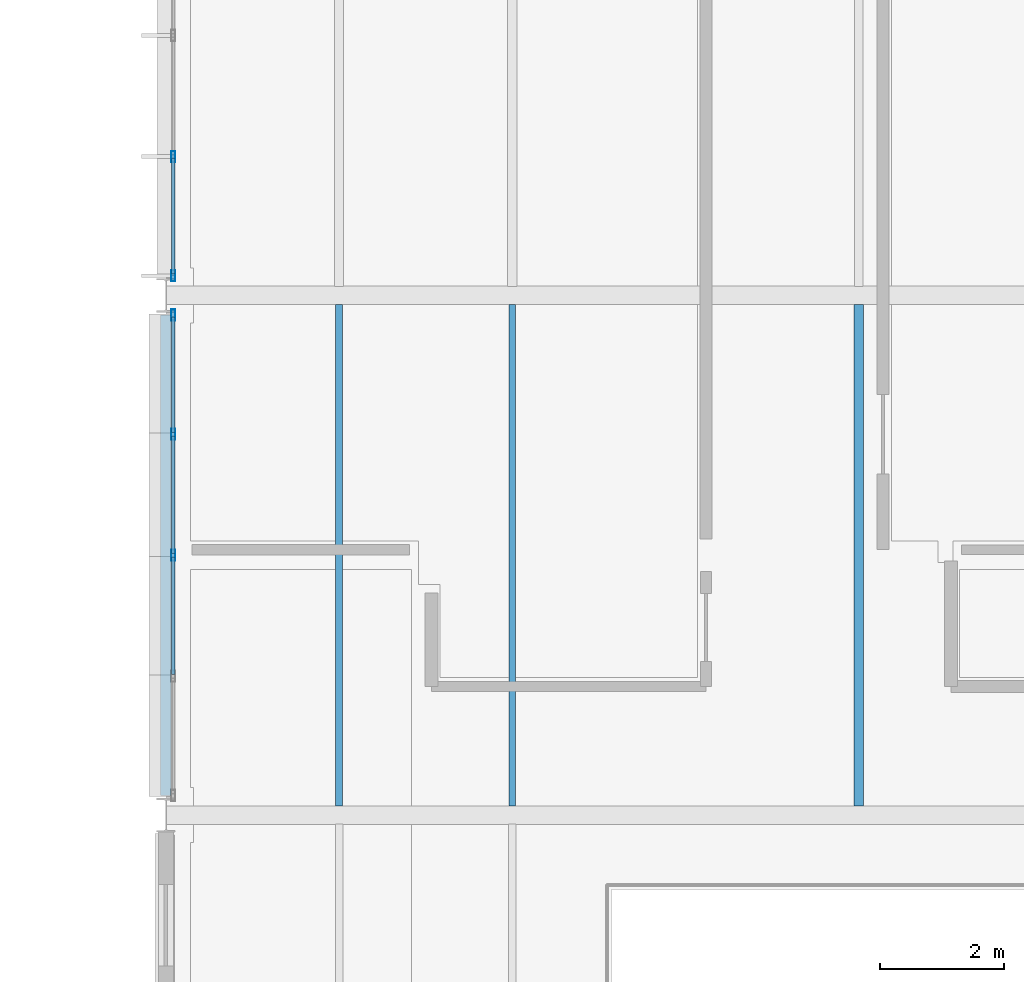
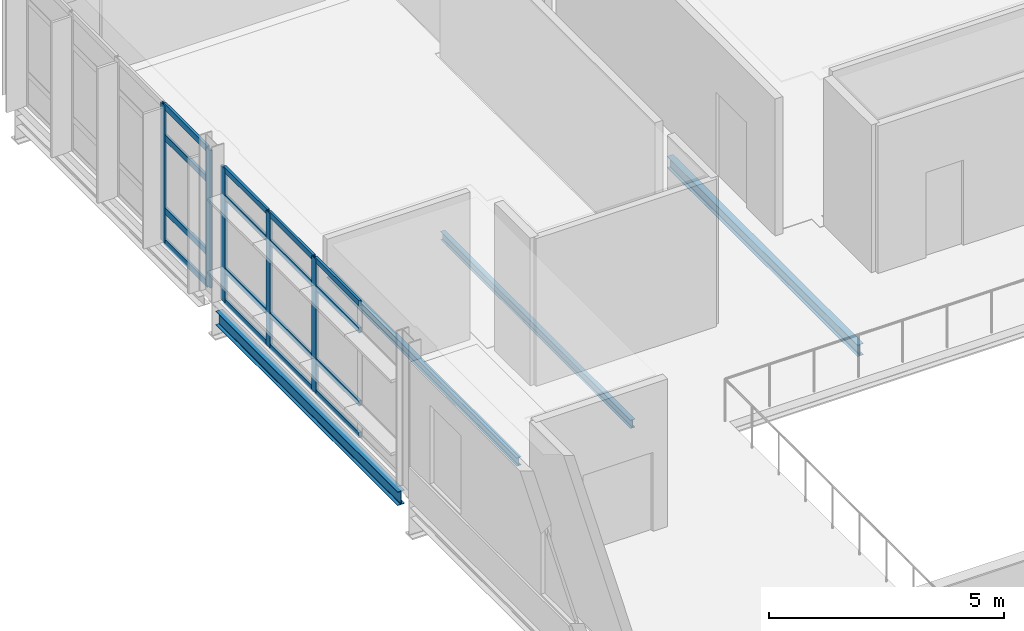
# One storey, part 57 of 151: 21 members, 4 beams, 2 elements without a shape of their own.
"""IFC4 building model written with IfcOpenShell, lengths in metres."""

from ifc_helpers import new_model, si_unit, direction, frame, origin, origin_2d, place, context, subcontext, project, spatial, hollow_rectangle, i_section, extrude, material, material_profile, profile_set, type_object, element, aggregate, save


model = new_model("IFC4")

# Units and contexts
model_context = context("Model", 3, precision=1e-05, world=origin(), true_north=direction((0.0, 1.0)))
body_context = subcontext(model_context, "Body", "Model", "MODEL_VIEW")
ifc_project = project(units=[si_unit("LENGTHUNIT", "METRE"), si_unit("AREAUNIT", "SQUARE_METRE"), si_unit("VOLUMEUNIT", "CUBIC_METRE"), si_unit("PLANEANGLEUNIT", "RADIAN"), si_unit("MASSUNIT", "GRAM", prefix="KILO")], contexts=[model_context])

# Site, building, storey
site_placement = place(None, origin())
site = spatial("IfcSite", under=ifc_project, at=site_placement, CompositionType="ELEMENT")
building_placement = place(site_placement, origin())
building = spatial("IfcBuilding", under=site, at=building_placement, Name="Mersafa Astral City Hall", CompositionType="ELEMENT")
storey_placement = place(building_placement, frame((0.0, 0.0, 9.89990234375)))
storey = spatial("IfcBuildingStorey", under=building, at=storey_placement, Name="L02", CompositionType="ELEMENT", Elevation=9.89990234375)

# Curtain wall, members
ifc_material_1 = material(Name="Anodised bronze aluminium framing", Category="aluminium")
curtain_wall_type_1 = type_object("IfcCurtainWallType", Name="ENV-CW-1", PredefinedType="USERDEFINED", material=ifc_material_1)
curtain_wall_1_placement = place(storey_placement, origin())
curtain_wall_1 = element("IfcCurtainWall", 1, at=curtain_wall_1_placement, inside=storey, type_object=curtain_wall_type_1, Name="L02 Unitised solar curtain wall 144", ObjectType="UNITISED CURTAIN WALL", PredefinedType="USERDEFINED")
ifc_material_profile_1 = material_profile(ifc_material_1, hollow_rectangle(XDim=0.06005859375, YDim=0.179931640625, WallThickness=0.00390625, at=origin_2d()), Name="RHS 60x180x4")
ifc_profile_set_1 = profile_set([ifc_material_profile_1], Name="Anodised bronze aluminium framing")
member_type_1 = type_object("IfcMemberType", Name="ENV-CW-MUL-1", PredefinedType="MULLION", material=ifc_profile_set_1)
member_1_placement = place(storey_placement, frame((92.52001953125, 86.243408203125, -0.001953125), z_axis=(0.0, 0.0, 1.0), x_axis=(1.0, 0.0, 0.0)))
member_1 = element("IfcMember", 2, at=member_1_placement, type_object=member_type_1, Name="CW-1 mullion 4", PredefinedType="MULLION", context=body_context, shape_type="SweptSolid", body=[
    extrude(hollow_rectangle(XDim=0.06005859375, YDim=0.179931640625, WallThickness=0.00390625, at=origin_2d()), origin(), (0.0, 0.0, 1.0), 3.5791015625),
])
member_2_placement = place(storey_placement, frame((92.52001953125, 84.31689453125, -0.001953125), z_axis=(0.0, 0.0, 1.0), x_axis=(1.0, 0.0, 0.0)))
member_2 = element("IfcMember", 3, at=member_2_placement, type_object=member_type_1, Name="CW-1 mullion 5", PredefinedType="MULLION", context=body_context, shape_type="SweptSolid", body=[
    extrude(hollow_rectangle(XDim=0.06005859375, YDim=0.179931640625, WallThickness=0.00390625, at=origin_2d()), origin(), (0.0, 0.0, 1.0), 3.5791015625),
])

curtain_wall_type_2 = type_object("IfcCurtainWallType", Name="ENV-CW-2", PredefinedType="USERDEFINED", material=ifc_material_1)
curtain_wall_2_placement = place(storey_placement, origin())
curtain_wall_2 = element("IfcCurtainWall", 4, at=curtain_wall_2_placement, inside=storey, type_object=curtain_wall_type_2, Name="L02 Unitised solar curtain wall 145", ObjectType="UNITISED CURTAIN WALL", PredefinedType="USERDEFINED")
member_3_placement = place(storey_placement, frame((92.52001953125, 83.68310546875, -0.001953125), z_axis=(0.0, 0.0, 1.0), x_axis=(1.0, 0.0, 0.0)))
member_3 = element("IfcMember", 5, at=member_3_placement, type_object=member_type_1, Name="CW-2 mullion 1", PredefinedType="MULLION", context=body_context, shape_type="SweptSolid", body=[
    extrude(hollow_rectangle(XDim=0.06005859375, YDim=0.179931640625, WallThickness=0.00390625, at=origin_2d()), origin(), (0.0, 0.0, 1.0), 3.489013671875),
])
member_4_placement = place(storey_placement, frame((92.52001953125, 81.756591796875, -0.001953125), z_axis=(0.0, 0.0, 1.0), x_axis=(1.0, 0.0, 0.0)))
member_4 = element("IfcMember", 6, at=member_4_placement, type_object=member_type_1, Name="CW-2 mullion 2", PredefinedType="MULLION", context=body_context, shape_type="SweptSolid", body=[
    extrude(hollow_rectangle(XDim=0.06005859375, YDim=0.179931640625, WallThickness=0.00390625, at=origin_2d()), origin(), (0.0, 0.0, 1.0), 3.489013671875),
])
member_5_placement = place(storey_placement, frame((92.52001953125, 79.800048828125, -0.001953125), z_axis=(0.0, 0.0, 1.0), x_axis=(1.0, 0.0, 0.0)))
member_5 = element("IfcMember", 7, at=member_5_placement, type_object=member_type_1, Name="CW-2 mullion 3", PredefinedType="MULLION", context=body_context, shape_type="SweptSolid", body=[
    extrude(hollow_rectangle(XDim=0.06005859375, YDim=0.179931640625, WallThickness=0.00390625, at=origin_2d()), origin(), (0.0, 0.0, 1.0), 3.489013671875),
])
ifc_material_profile_2 = material_profile(ifc_material_1, hollow_rectangle(XDim=0.06005859375, YDim=0.139892578125, WallThickness=0.00390625, at=origin_2d()), Name="RHS 60x140x4")
ifc_profile_set_2 = profile_set([ifc_material_profile_2], Name="Anodised bronze aluminium framing")
member_type_2 = type_object("IfcMemberType", Name="ENV-CW-TRN-1", PredefinedType="USERDEFINED", material=ifc_profile_set_2)
member_6_placement = place(storey_placement, frame((92.52001953125, 83.653076171875, 0.028076171875), z_axis=(0.0, -1.0, 0.0), x_axis=(1.0, 0.0, 0.0)))
member_6 = element("IfcMember", 8, at=member_6_placement, type_object=member_type_2, Name="CW-2 transom 1.1", ObjectType="TRANSOM", PredefinedType="USERDEFINED", context=body_context, shape_type="SweptSolid", body=[
    extrude(hollow_rectangle(XDim=0.06005859375, YDim=0.139892578125, WallThickness=0.00390625, at=origin_2d()), origin(), (0.0, 0.0, 1.0), 1.866455078125),
])
member_7_placement = place(storey_placement, frame((92.52001953125, 83.653076171875, 0.85009765625), z_axis=(0.0, -1.0, 0.0), x_axis=(1.0, 0.0, 0.0)))
member_7 = element("IfcMember", 9, at=member_7_placement, type_object=member_type_2, Name="CW-2 transom 1.2", ObjectType="TRANSOM", PredefinedType="USERDEFINED", context=body_context, shape_type="SweptSolid", body=[
    extrude(hollow_rectangle(XDim=0.06005859375, YDim=0.139892578125, WallThickness=0.00390625, at=origin_2d()), origin(), (0.0, 0.0, 1.0), 1.866455078125),
])
member_8_placement = place(storey_placement, frame((92.52001953125, 83.653076171875, 2.75), z_axis=(0.0, -1.0, 0.0), x_axis=(1.0, 0.0, 0.0)))
member_8 = element("IfcMember", 10, at=member_8_placement, type_object=member_type_2, Name="CW-2 transom 1.3", ObjectType="TRANSOM", PredefinedType="USERDEFINED", context=body_context, shape_type="SweptSolid", body=[
    extrude(hollow_rectangle(XDim=0.06005859375, YDim=0.139892578125, WallThickness=0.00390625, at=origin_2d()), origin(), (0.0, 0.0, 1.0), 1.866455078125),
])
member_9_placement = place(storey_placement, frame((92.52001953125, 83.653076171875, 3.45703125), z_axis=(0.0, -1.0, 0.0), x_axis=(1.0, 0.0, 0.0)))
member_9 = element("IfcMember", 11, at=member_9_placement, type_object=member_type_2, Name="CW-2 transom 1.4", ObjectType="TRANSOM", PredefinedType="USERDEFINED", context=body_context, shape_type="SweptSolid", body=[
    extrude(hollow_rectangle(XDim=0.06005859375, YDim=0.139892578125, WallThickness=0.00390625, at=origin_2d()), origin(), (0.0, 0.0, 1.0), 1.866455078125),
])
member_10_placement = place(storey_placement, frame((92.52001953125, 81.7265625, 0.028076171875), z_axis=(0.0, -1.0, 0.0), x_axis=(1.0, 0.0, 0.0)))
member_10 = element("IfcMember", 12, at=member_10_placement, type_object=member_type_2, Name="CW-2 transom 2.1", ObjectType="TRANSOM", PredefinedType="USERDEFINED", context=body_context, shape_type="SweptSolid", body=[
    extrude(hollow_rectangle(XDim=0.06005859375, YDim=0.139892578125, WallThickness=0.00390625, at=origin_2d()), origin(), (0.0, 0.0, 1.0), 1.896484375),
])
member_11_placement = place(storey_placement, frame((92.52001953125, 81.7265625, 0.85009765625), z_axis=(0.0, -1.0, 0.0), x_axis=(1.0, 0.0, 0.0)))
member_11 = element("IfcMember", 13, at=member_11_placement, type_object=member_type_2, Name="CW-2 transom 2.2", ObjectType="TRANSOM", PredefinedType="USERDEFINED", context=body_context, shape_type="SweptSolid", body=[
    extrude(hollow_rectangle(XDim=0.06005859375, YDim=0.139892578125, WallThickness=0.00390625, at=origin_2d()), origin(), (0.0, 0.0, 1.0), 1.896484375),
])
member_12_placement = place(storey_placement, frame((92.52001953125, 81.7265625, 2.75), z_axis=(0.0, -1.0, 0.0), x_axis=(1.0, 0.0, 0.0)))
member_12 = element("IfcMember", 14, at=member_12_placement, type_object=member_type_2, Name="CW-2 transom 2.3", ObjectType="TRANSOM", PredefinedType="USERDEFINED", context=body_context, shape_type="SweptSolid", body=[
    extrude(hollow_rectangle(XDim=0.06005859375, YDim=0.139892578125, WallThickness=0.00390625, at=origin_2d()), origin(), (0.0, 0.0, 1.0), 1.896484375),
])
member_13_placement = place(storey_placement, frame((92.52001953125, 81.7265625, 3.45703125), z_axis=(0.0, -1.0, 0.0), x_axis=(1.0, 0.0, 0.0)))
member_13 = element("IfcMember", 15, at=member_13_placement, type_object=member_type_2, Name="CW-2 transom 2.4", ObjectType="TRANSOM", PredefinedType="USERDEFINED", context=body_context, shape_type="SweptSolid", body=[
    extrude(hollow_rectangle(XDim=0.06005859375, YDim=0.139892578125, WallThickness=0.00390625, at=origin_2d()), origin(), (0.0, 0.0, 1.0), 1.896484375),
])
member_14_placement = place(storey_placement, frame((92.52001953125, 79.77001953125, 0.028076171875), z_axis=(0.0, -1.0, 0.0), x_axis=(1.0, 0.0, 0.0)))
member_14 = element("IfcMember", 16, at=member_14_placement, type_object=member_type_2, Name="CW-2 transom 3.1", ObjectType="TRANSOM", PredefinedType="USERDEFINED", context=body_context, shape_type="SweptSolid", body=[
    extrude(hollow_rectangle(XDim=0.06005859375, YDim=0.139892578125, WallThickness=0.00390625, at=origin_2d()), origin(), (0.0, 0.0, 1.0), 1.896484375),
])
member_15_placement = place(storey_placement, frame((92.52001953125, 79.77001953125, 0.85009765625), z_axis=(0.0, -1.0, 0.0), x_axis=(1.0, 0.0, 0.0)))
member_15 = element("IfcMember", 17, at=member_15_placement, type_object=member_type_2, Name="CW-2 transom 3.2", ObjectType="TRANSOM", PredefinedType="USERDEFINED", context=body_context, shape_type="SweptSolid", body=[
    extrude(hollow_rectangle(XDim=0.06005859375, YDim=0.139892578125, WallThickness=0.00390625, at=origin_2d()), origin(), (0.0, 0.0, 1.0), 1.896484375),
])
member_16_placement = place(storey_placement, frame((92.52001953125, 79.77001953125, 2.75), z_axis=(0.0, -1.0, 0.0), x_axis=(1.0, 0.0, 0.0)))
member_16 = element("IfcMember", 18, at=member_16_placement, type_object=member_type_2, Name="CW-2 transom 3.3", ObjectType="TRANSOM", PredefinedType="USERDEFINED", context=body_context, shape_type="SweptSolid", body=[
    extrude(hollow_rectangle(XDim=0.06005859375, YDim=0.139892578125, WallThickness=0.00390625, at=origin_2d()), origin(), (0.0, 0.0, 1.0), 1.896484375),
])
member_17_placement = place(storey_placement, frame((92.52001953125, 79.77001953125, 3.45703125), z_axis=(0.0, -1.0, 0.0), x_axis=(1.0, 0.0, 0.0)))
member_17 = element("IfcMember", 19, at=member_17_placement, type_object=member_type_2, Name="CW-2 transom 3.4", ObjectType="TRANSOM", PredefinedType="USERDEFINED", context=body_context, shape_type="SweptSolid", body=[
    extrude(hollow_rectangle(XDim=0.06005859375, YDim=0.139892578125, WallThickness=0.00390625, at=origin_2d()), origin(), (0.0, 0.0, 1.0), 1.896484375),
])
aggregate(curtain_wall_2, [member_3, member_4, member_5, member_6, member_7, member_8, member_9, member_10, member_11, member_12, member_13, member_14, member_15, member_16, member_17])

# Member
ifc_material_profile_3 = material_profile(ifc_material_1, hollow_rectangle(XDim=0.06005859375, YDim=0.159912109375, WallThickness=0.00390625, at=origin_2d()), Name="RHS 60x160x4")
ifc_profile_set_3 = profile_set([ifc_material_profile_3], Name="Anodised bronze aluminium framing")
member_type_3 = type_object("IfcMemberType", Name="ENV-CW-TRN-2", PredefinedType="USERDEFINED", material=ifc_profile_set_3)
member_18_placement = place(storey_placement, frame((92.52001953125, 86.21337890625, 0.028076171875), z_axis=(0.0, -1.0, 0.0), x_axis=(1.0, 0.0, 0.0)))
member_18 = element("IfcMember", 20, at=member_18_placement, type_object=member_type_3, Name="CW-1 transom 4.1", ObjectType="TRANSOM", PredefinedType="USERDEFINED", context=body_context, shape_type="SweptSolid", body=[
    extrude(hollow_rectangle(XDim=0.06005859375, YDim=0.159912109375, WallThickness=0.00390625, at=origin_2d()), origin(), (0.0, 0.0, 1.0), 1.866455078125),
])

member_19_placement = place(storey_placement, frame((92.52001953125, 86.21337890625, 0.85009765625), z_axis=(0.0, -1.0, 0.0), x_axis=(1.0, 0.0, 0.0)))
member_19 = element("IfcMember", 21, at=member_19_placement, type_object=member_type_3, Name="CW-1 transom 4.2", ObjectType="TRANSOM", PredefinedType="USERDEFINED", context=body_context, shape_type="SweptSolid", body=[
    extrude(hollow_rectangle(XDim=0.06005859375, YDim=0.159912109375, WallThickness=0.00390625, at=origin_2d()), origin(), (0.0, 0.0, 1.0), 1.866455078125),
])

member_20_placement = place(storey_placement, frame((92.52001953125, 86.21337890625, 2.75), z_axis=(0.0, -1.0, 0.0), x_axis=(1.0, 0.0, 0.0)))
member_20 = element("IfcMember", 22, at=member_20_placement, type_object=member_type_3, Name="CW-1 transom 4.3", ObjectType="TRANSOM", PredefinedType="USERDEFINED", context=body_context, shape_type="SweptSolid", body=[
    extrude(hollow_rectangle(XDim=0.06005859375, YDim=0.159912109375, WallThickness=0.00390625, at=origin_2d()), origin(), (0.0, 0.0, 1.0), 1.866455078125),
])

member_21_placement = place(storey_placement, frame((92.52001953125, 86.21337890625, 3.547119140625), z_axis=(0.0, -1.0, 0.0), x_axis=(1.0, 0.0, 0.0)))
member_21 = element("IfcMember", 23, at=member_21_placement, type_object=member_type_3, Name="CW-1 transom 4.4", ObjectType="TRANSOM", PredefinedType="USERDEFINED", context=body_context, shape_type="SweptSolid", body=[
    extrude(hollow_rectangle(XDim=0.06005859375, YDim=0.159912109375, WallThickness=0.00390625, at=origin_2d()), origin(), (0.0, 0.0, 1.0), 1.866455078125),
])

aggregate(curtain_wall_1, [member_1, member_2, member_18, member_19, member_20, member_21])

# Beams
ifc_material_2 = material(Name="Steel S355", Category="steel")
ifc_material_profile_4 = material_profile(ifc_material_2, i_section(OverallWidth=0.110107421875, OverallDepth=0.219970703125, WebThickness=0.005859375, FlangeThickness=0.00927734375, FilletRadius=0.011962890625, at=origin_2d()), Name="IPE 220")
ifc_profile_set_4 = profile_set([ifc_material_profile_4], Name="Steel S355")
beam_type_1 = type_object("IfcBeamType", Name="STR-BM-JOIST-IPE220", PredefinedType="JOIST", material=ifc_profile_set_4)
for number, where, z_axis, x_axis, name in (
    (24, (95.199951171875, 75.7451171875, -0.309814453125), (0.0, 1.0, 0.0), (-1.0, 0.0, 0.0), "L02 Composite secondary floor joist 446"),
    (25, (98.0, 75.7451171875, -0.309814453125), (0.0, 1.0, 0.0), (-1.0, 0.0, 0.0), "L02 Composite secondary floor joist 447"),
):
    element("IfcBeam", number, at=place(storey_placement, frame(where, z_axis=z_axis, x_axis=x_axis)), inside=storey, type_object=beam_type_1, Name=name, PredefinedType="JOIST", context=body_context, shape_type="SweptSolid", body=[
        extrude(i_section(OverallWidth=0.110107421875, OverallDepth=0.219970703125, WebThickness=0.005859375, FlangeThickness=0.00927734375, FilletRadius=0.011962890625, at=origin_2d()), origin(), (0.0, 0.0, 1.0), 8.10986328125),
    ])
ifc_material_profile_5 = material_profile(ifc_material_2, i_section(OverallWidth=0.14990234375, OverallDepth=0.300048828125, WebThickness=0.007080078125, FlangeThickness=0.0107421875, FilletRadius=0.014892578125, at=origin_2d()), Name="IPE 300")
ifc_profile_set_5 = profile_set([ifc_material_profile_5], Name="Steel S355")
beam_type_2 = type_object("IfcBeamType", Name="STR-BM-JOIST-IPE300", PredefinedType="JOIST", material=ifc_profile_set_5)
beam_1_placement = place(storey_placement, frame((103.60009765625, 75.7451171875, -0.349853515625), z_axis=(0.0, 1.0, 0.0), x_axis=(-1.0, 0.0, 0.0)))
element("IfcBeam", 26, at=beam_1_placement, inside=storey, type_object=beam_type_2, Name="L02 Composite secondary floor joist 458", PredefinedType="JOIST", context=body_context, shape_type="SweptSolid", body=[
    extrude(i_section(OverallWidth=0.14990234375, OverallDepth=0.300048828125, WebThickness=0.007080078125, FlangeThickness=0.0107421875, FilletRadius=0.014892578125, at=origin_2d()), origin(), (0.0, 0.0, 1.0), 8.10986328125),
])
ifc_material_profile_6 = material_profile(ifc_material_2, i_section(OverallWidth=0.169921875, OverallDepth=0.360107421875, WebThickness=0.008056640625, FlangeThickness=0.0126953125, FilletRadius=0.01806640625, at=origin_2d()), Name="IPE 360")
ifc_profile_set_6 = profile_set([ifc_material_profile_6], Name="Steel S355")
beam_type_3 = type_object("IfcBeamType", Name="STR-BM-SPANDREL-IPE360", PredefinedType="SPANDREL", material=ifc_profile_set_6)
beam_2_placement = place(storey_placement, frame((92.39990234375, 75.919921875, -0.3798828125), z_axis=(0.0, 1.0, 0.0), x_axis=(-1.0, 0.0, 0.0)))
element("IfcBeam", 27, at=beam_2_placement, inside=storey, type_object=beam_type_3, Name="L02 Primary girder Y 11-9", PredefinedType="SPANDREL", context=body_context, shape_type="SweptSolid", body=[
    extrude(i_section(OverallWidth=0.169921875, OverallDepth=0.360107421875, WebThickness=0.008056640625, FlangeThickness=0.0126953125, FilletRadius=0.01806640625, at=origin_2d()), origin(), (0.0, 0.0, 1.0), 7.760009765625),
])

save(model, "model.ifc")
